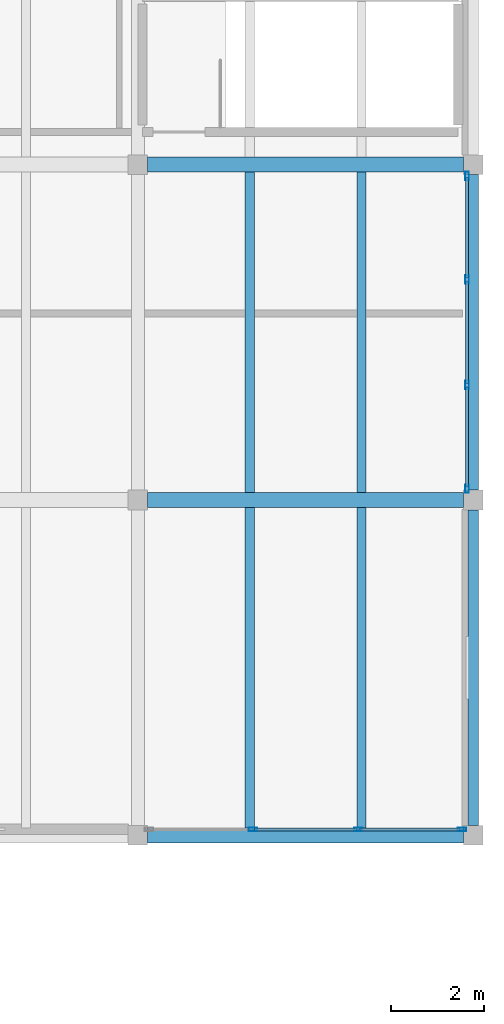
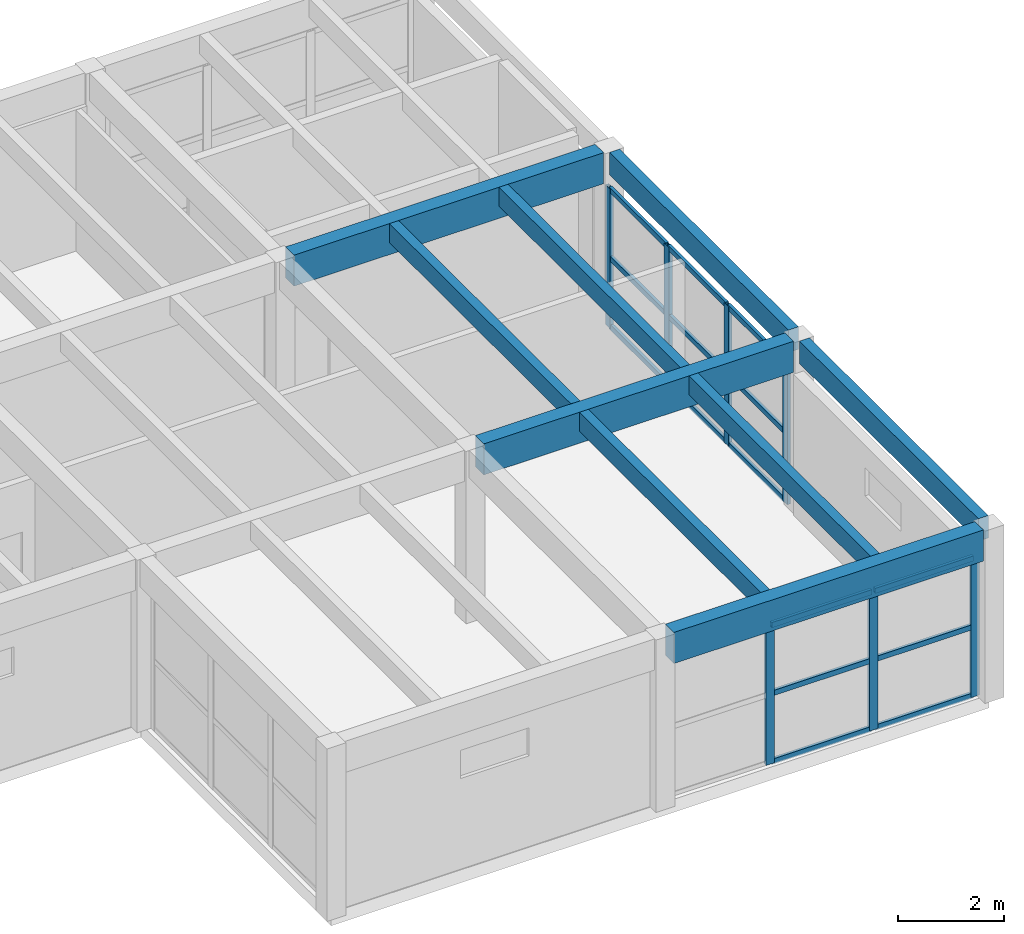
# One storey, part 47 of 68: 22 members, 9 beams, 2 elements without a shape of their own.
"""IFC4 building model written with IfcOpenShell, lengths in metres."""

from ifc_helpers import new_model, si_unit, direction, frame, origin, origin_2d, place, context, subcontext, project, spatial, rectangle, hollow_rectangle, extrude, material, material_profile, profile_set, type_object, element, aggregate, save


model = new_model("IFC4")

# Units and contexts
model_context = context("Model", 3, precision=1e-05, world=origin(), true_north=direction((0.0, 1.0)))
body_context = subcontext(model_context, "Body", "Model", "MODEL_VIEW")
ifc_project = project(units=[si_unit("LENGTHUNIT", "METRE"), si_unit("AREAUNIT", "SQUARE_METRE"), si_unit("VOLUMEUNIT", "CUBIC_METRE"), si_unit("PLANEANGLEUNIT", "RADIAN"), si_unit("MASSUNIT", "GRAM", prefix="KILO")], contexts=[model_context])

# Site, building, storey
site_placement = place(None, origin())
site = spatial("IfcSite", under=ifc_project, at=site_placement, CompositionType="ELEMENT")
building_placement = place(site_placement, origin())
building = spatial("IfcBuilding", under=site, at=building_placement, Name="Bramvelor Terrace Health Centre", CompositionType="ELEMENT")
storey_placement = place(building_placement, frame((0.0, 0.0, 9.300048828125)))
storey = spatial("IfcBuildingStorey", under=building, at=storey_placement, Name="L03", CompositionType="ELEMENT", Elevation=9.300048828125)

# Beams
ifc_material_1 = material(Name="Glulam GL28h", Category="wood")
ifc_material_profile_1 = material_profile(ifc_material_1, rectangle(XDim=0.320068359375, YDim=0.719970703125, at=origin_2d()), Name="GL 320x720")
ifc_profile_set_1 = profile_set([ifc_material_profile_1], Name="Glulam GL28h")
beam_type_1 = type_object("IfcBeamType", Name="BM-GL-G720", PredefinedType="BEAM", material=ifc_profile_set_1)
for number, where, z_axis, x_axis, name in (
    (1, (158.610107421875, 43.199951171875, 3.6298828125), (1.0, 0.0, 0.0), (0.0, 1.0, 0.0), "L03 Floor Girder"),
    (2, (158.610107421875, 50.39990234375, 3.6298828125), (1.0, 0.0, 0.0), (0.0, 1.0, 0.0), "L03 Floor Girder"),
    (3, (158.610107421875, 57.60009765625, 3.6298828125), (1.0, 0.0, 0.0), (0.0, 1.0, 0.0), "L03 Floor Girder"),
):
    element("IfcBeam", number, at=place(storey_placement, frame(where, z_axis=z_axis, x_axis=x_axis)), inside=storey, type_object=beam_type_1, Name=name, PredefinedType="BEAM", context=body_context, shape_type="SweptSolid", body=[
        extrude(rectangle(XDim=0.320068359375, YDim=0.719970703125, at=origin_2d()), origin(), (0.0, 0.0, 1.0), 6.77978515625),
    ])
ifc_material_2 = material(Name="Glulam GL28h", Category="wood")
ifc_material_profile_2 = material_profile(ifc_material_2, rectangle(XDim=0.199951171875, YDim=0.43994140625, at=origin_2d()), Name="GL 200x440")
ifc_profile_set_2 = profile_set([ifc_material_profile_2], Name="Glulam GL28h")
beam_type_2 = type_object("IfcBeamType", Name="BM-GL-J440", PredefinedType="JOIST", material=ifc_profile_set_2)
for number, where, z_axis, x_axis, name in (
    (4, (160.800048828125, 43.360107421875, 3.77001953125), (0.0, 1.0, 0.0), (-1.0, 0.0, 0.0), "L03 Secondary Floor Joist"),
    (5, (163.199951171875, 43.360107421875, 3.77001953125), (0.0, 1.0, 0.0), (-1.0, 0.0, 0.0), "L03 Secondary Floor Joist"),
    (6, (160.800048828125, 50.56005859375, 3.77001953125), (0.0, 1.0, 0.0), (-1.0, 0.0, 0.0), "L03 Secondary Floor Joist"),
    (7, (163.199951171875, 50.56005859375, 3.77001953125), (0.0, 1.0, 0.0), (-1.0, 0.0, 0.0), "L03 Secondary Floor Joist"),
):
    element("IfcBeam", number, at=place(storey_placement, frame(where, z_axis=z_axis, x_axis=x_axis)), inside=storey, type_object=beam_type_2, Name=name, PredefinedType="JOIST", context=body_context, shape_type="SweptSolid", body=[
        extrude(rectangle(XDim=0.199951171875, YDim=0.43994140625, at=origin_2d()), origin(), (0.0, 0.0, 1.0), 6.8798828125),
    ])
ifc_material_3 = material(Name="Glulam GL28h", Category="wood")
ifc_material_profile_3 = material_profile(ifc_material_3, rectangle(XDim=0.219970703125, YDim=0.52001953125, at=origin_2d()), Name="GL 220x520")
ifc_profile_set_3 = profile_set([ifc_material_profile_3], Name="Glulam GL28h")
beam_type_3 = type_object("IfcBeamType", Name="BM-GL-SP520-EXT", PredefinedType="SPANDREL", material=ifc_profile_set_3)
beam_1_placement = place(storey_placement, frame((165.60009765625, 43.409912109375, 3.72998046875), z_axis=(0.0, 1.0, 0.0), x_axis=(-1.0, 0.0, 0.0)))
element("IfcBeam", 8, at=beam_1_placement, inside=storey, type_object=beam_type_3, Name="L03 Floor Girder", PredefinedType="SPANDREL", context=body_context, shape_type="SweptSolid", body=[
    extrude(rectangle(XDim=0.219970703125, YDim=0.52001953125, at=origin_2d()), origin(), (0.0, 0.0, 1.0), 6.780029296875),
])
beam_2_placement = place(storey_placement, frame((165.60009765625, 50.610107421875, 3.72998046875), z_axis=(0.0, 1.0, 0.0), x_axis=(-1.0, 0.0, 0.0)))
element("IfcBeam", 9, at=beam_2_placement, inside=storey, type_object=beam_type_3, Name="L03 Floor Girder", PredefinedType="SPANDREL", context=body_context, shape_type="SweptSolid", body=[
    extrude(rectangle(XDim=0.219970703125, YDim=0.52001953125, at=origin_2d()), origin(), (0.0, 0.0, 1.0), 6.77978515625),
])

# Curtain wall, members
ifc_material_4 = material(Name="Anodized aluminium and double low-E glass", Category="aluminium")
curtain_wall_type = type_object("IfcCurtainWallType", Name="CW-SYS-27", PredefinedType="NOTDEFINED", material=ifc_material_4)
curtain_wall_1_placement = place(storey_placement, origin())
curtain_wall_1 = element("IfcCurtainWall", 10, at=curtain_wall_1_placement, inside=storey, type_object=curtain_wall_type, Name="L03 Unitized Curtain Wall 167", PredefinedType="NOTDEFINED")
ifc_material_5 = material(Name="Anodized aluminium 6063-T6", Category="aluminium")
ifc_material_profile_4 = material_profile(ifc_material_5, hollow_rectangle(XDim=0.074951171875, YDim=0.179931640625, WallThickness=0.00341796875, at=origin_2d()), Name="ALU-MUL 75x180x3.5")
ifc_profile_set_4 = profile_set([ifc_material_profile_4], Name="Anodized aluminium 6063-T6")
member_type_1 = type_object("IfcMemberType", Name="CW-MUL-65x180", PredefinedType="MULLION", material=ifc_profile_set_4)
member_1_placement = place(storey_placement, frame((165.469970703125, 57.357421875, 0.0), z_axis=(0.0, 0.0, 1.0), x_axis=(1.0, 0.0, 0.0)))
member_1 = element("IfcMember", 11, at=member_1_placement, type_object=member_type_1, Name="CW-27 mullion 1", PredefinedType="MULLION", context=body_context, shape_type="SweptSolid", body=[
    extrude(hollow_rectangle(XDim=0.074951171875, YDim=0.179931640625, WallThickness=0.00341796875, at=origin_2d()), origin(), (0.0, 0.0, 1.0), 3.22998046875),
])
member_2_placement = place(storey_placement, frame((165.469970703125, 55.131591796875, 0.0), z_axis=(0.0, 0.0, 1.0), x_axis=(1.0, 0.0, 0.0)))
member_2 = element("IfcMember", 12, at=member_2_placement, type_object=member_type_1, Name="CW-27 mullion 2", PredefinedType="MULLION", context=body_context, shape_type="SweptSolid", body=[
    extrude(hollow_rectangle(XDim=0.074951171875, YDim=0.179931640625, WallThickness=0.00341796875, at=origin_2d()), origin(), (0.0, 0.0, 1.0), 3.22998046875),
])
member_3_placement = place(storey_placement, frame((165.469970703125, 52.868408203125, 0.0), z_axis=(0.0, 0.0, 1.0), x_axis=(1.0, 0.0, 0.0)))
member_3 = element("IfcMember", 13, at=member_3_placement, type_object=member_type_1, Name="CW-27 mullion 3", PredefinedType="MULLION", context=body_context, shape_type="SweptSolid", body=[
    extrude(hollow_rectangle(XDim=0.074951171875, YDim=0.179931640625, WallThickness=0.00341796875, at=origin_2d()), origin(), (0.0, 0.0, 1.0), 3.22998046875),
])
member_4_placement = place(storey_placement, frame((165.469970703125, 50.642578125, 0.0), z_axis=(0.0, 0.0, 1.0), x_axis=(1.0, 0.0, 0.0)))
member_4 = element("IfcMember", 14, at=member_4_placement, type_object=member_type_1, Name="CW-27 mullion 4", PredefinedType="MULLION", context=body_context, shape_type="SweptSolid", body=[
    extrude(hollow_rectangle(XDim=0.074951171875, YDim=0.179931640625, WallThickness=0.00341796875, at=origin_2d()), origin(), (0.0, 0.0, 1.0), 3.22998046875),
])

curtain_wall_2_placement = place(storey_placement, origin())
curtain_wall_2 = element("IfcCurtainWall", 15, at=curtain_wall_2_placement, inside=storey, type_object=curtain_wall_type, Name="L03 Unitized Curtain Wall 168", PredefinedType="NOTDEFINED")
member_5_placement = place(storey_placement, frame((165.357421875, 43.330078125, 0.0), z_axis=(0.0, 0.0, 1.0), x_axis=(0.0, -1.0, 0.0)))
member_5 = element("IfcMember", 16, at=member_5_placement, type_object=member_type_1, Name="CW-27 mullion 1", PredefinedType="MULLION", context=body_context, shape_type="SweptSolid", body=[
    extrude(hollow_rectangle(XDim=0.074951171875, YDim=0.179931640625, WallThickness=0.00341796875, at=origin_2d()), origin(), (0.0, 0.0, 1.0), 3.22998046875),
])
member_6_placement = place(storey_placement, frame((163.131591796875, 43.330078125, 0.0), z_axis=(0.0, 0.0, 1.0), x_axis=(0.0, -1.0, 0.0)))
member_6 = element("IfcMember", 17, at=member_6_placement, type_object=member_type_1, Name="CW-27 mullion 2", PredefinedType="MULLION", context=body_context, shape_type="SweptSolid", body=[
    extrude(hollow_rectangle(XDim=0.074951171875, YDim=0.179931640625, WallThickness=0.00341796875, at=origin_2d()), origin(), (0.0, 0.0, 1.0), 3.22998046875),
])
member_7_placement = place(storey_placement, frame((160.868408203125, 43.330078125, 0.0), z_axis=(0.0, 0.0, 1.0), x_axis=(0.0, -1.0, 0.0)))
member_7 = element("IfcMember", 18, at=member_7_placement, type_object=member_type_1, Name="CW-27 mullion 3", PredefinedType="MULLION", context=body_context, shape_type="SweptSolid", body=[
    extrude(hollow_rectangle(XDim=0.074951171875, YDim=0.179931640625, WallThickness=0.00341796875, at=origin_2d()), origin(), (0.0, 0.0, 1.0), 3.22998046875),
])

# Member
ifc_material_6 = material(Name="Anodized aluminium 6063-T6", Category="aluminium")
ifc_material_profile_5 = material_profile(ifc_material_6, hollow_rectangle(XDim=0.06494140625, YDim=0.1201171875, WallThickness=0.0029296875, at=origin_2d()), Name="ALU-TRN 65x120x3.0")
ifc_profile_set_5 = profile_set([ifc_material_profile_5], Name="Anodized aluminium 6063-T6")
member_type_2 = type_object("IfcMemberType", Name="CW-TRN-65x150", PredefinedType="USERDEFINED", material=ifc_profile_set_5)
member_8_placement = place(storey_placement, frame((165.469970703125, 57.320068359375, 0.032470703125), z_axis=(0.0, -1.0, 0.0), x_axis=(1.0, 0.0, 0.0)))
member_8 = element("IfcMember", 19, at=member_8_placement, type_object=member_type_2, Name="CW-27 transom 1.1", ObjectType="TRANSOM", PredefinedType="USERDEFINED", context=body_context, shape_type="SweptSolid", body=[
    extrude(hollow_rectangle(XDim=0.06494140625, YDim=0.1201171875, WallThickness=0.0029296875, at=origin_2d()), origin(), (0.0, 0.0, 1.0), 2.15087890625),
])

member_9_placement = place(storey_placement, frame((165.469970703125, 57.320068359375, 1.614990234375), z_axis=(0.0, -1.0, 0.0), x_axis=(1.0, 0.0, 0.0)))
member_9 = element("IfcMember", 20, at=member_9_placement, type_object=member_type_2, Name="CW-27 transom 1.2", ObjectType="TRANSOM", PredefinedType="USERDEFINED", context=body_context, shape_type="SweptSolid", body=[
    extrude(hollow_rectangle(XDim=0.06494140625, YDim=0.1201171875, WallThickness=0.0029296875, at=origin_2d()), origin(), (0.0, 0.0, 1.0), 2.15087890625),
])

member_10_placement = place(storey_placement, frame((165.469970703125, 57.320068359375, 3.197509765625), z_axis=(0.0, -1.0, 0.0), x_axis=(1.0, 0.0, 0.0)))
member_10 = element("IfcMember", 21, at=member_10_placement, type_object=member_type_2, Name="CW-27 transom 1.3", ObjectType="TRANSOM", PredefinedType="USERDEFINED", context=body_context, shape_type="SweptSolid", body=[
    extrude(hollow_rectangle(XDim=0.06494140625, YDim=0.1201171875, WallThickness=0.0029296875, at=origin_2d()), origin(), (0.0, 0.0, 1.0), 2.15087890625),
])

member_11_placement = place(storey_placement, frame((165.469970703125, 55.09423828125, 0.032470703125), z_axis=(0.0, -1.0, 0.0), x_axis=(1.0, 0.0, 0.0)))
member_11 = element("IfcMember", 22, at=member_11_placement, type_object=member_type_2, Name="CW-27 transom 2.1", ObjectType="TRANSOM", PredefinedType="USERDEFINED", context=body_context, shape_type="SweptSolid", body=[
    extrude(hollow_rectangle(XDim=0.06494140625, YDim=0.1201171875, WallThickness=0.0029296875, at=origin_2d()), origin(), (0.0, 0.0, 1.0), 2.1884765625),
])

member_12_placement = place(storey_placement, frame((165.469970703125, 55.09423828125, 1.614990234375), z_axis=(0.0, -1.0, 0.0), x_axis=(1.0, 0.0, 0.0)))
member_12 = element("IfcMember", 23, at=member_12_placement, type_object=member_type_2, Name="CW-27 transom 2.2", ObjectType="TRANSOM", PredefinedType="USERDEFINED", context=body_context, shape_type="SweptSolid", body=[
    extrude(hollow_rectangle(XDim=0.06494140625, YDim=0.1201171875, WallThickness=0.0029296875, at=origin_2d()), origin(), (0.0, 0.0, 1.0), 2.1884765625),
])

member_13_placement = place(storey_placement, frame((165.469970703125, 55.09423828125, 3.197509765625), z_axis=(0.0, -1.0, 0.0), x_axis=(1.0, 0.0, 0.0)))
member_13 = element("IfcMember", 24, at=member_13_placement, type_object=member_type_2, Name="CW-27 transom 2.3", ObjectType="TRANSOM", PredefinedType="USERDEFINED", context=body_context, shape_type="SweptSolid", body=[
    extrude(hollow_rectangle(XDim=0.06494140625, YDim=0.1201171875, WallThickness=0.0029296875, at=origin_2d()), origin(), (0.0, 0.0, 1.0), 2.1884765625),
])

member_14_placement = place(storey_placement, frame((165.469970703125, 52.830810546875, 0.032470703125), z_axis=(0.0, -1.0, 0.0), x_axis=(1.0, 0.0, 0.0)))
member_14 = element("IfcMember", 25, at=member_14_placement, type_object=member_type_2, Name="CW-27 transom 3.1", ObjectType="TRANSOM", PredefinedType="USERDEFINED", context=body_context, shape_type="SweptSolid", body=[
    extrude(hollow_rectangle(XDim=0.06494140625, YDim=0.1201171875, WallThickness=0.0029296875, at=origin_2d()), origin(), (0.0, 0.0, 1.0), 2.15087890625),
])

member_15_placement = place(storey_placement, frame((165.469970703125, 52.830810546875, 1.614990234375), z_axis=(0.0, -1.0, 0.0), x_axis=(1.0, 0.0, 0.0)))
member_15 = element("IfcMember", 26, at=member_15_placement, type_object=member_type_2, Name="CW-27 transom 3.2", ObjectType="TRANSOM", PredefinedType="USERDEFINED", context=body_context, shape_type="SweptSolid", body=[
    extrude(hollow_rectangle(XDim=0.06494140625, YDim=0.1201171875, WallThickness=0.0029296875, at=origin_2d()), origin(), (0.0, 0.0, 1.0), 2.15087890625),
])

member_16_placement = place(storey_placement, frame((165.469970703125, 52.830810546875, 3.197509765625), z_axis=(0.0, -1.0, 0.0), x_axis=(1.0, 0.0, 0.0)))
member_16 = element("IfcMember", 27, at=member_16_placement, type_object=member_type_2, Name="CW-27 transom 3.3", ObjectType="TRANSOM", PredefinedType="USERDEFINED", context=body_context, shape_type="SweptSolid", body=[
    extrude(hollow_rectangle(XDim=0.06494140625, YDim=0.1201171875, WallThickness=0.0029296875, at=origin_2d()), origin(), (0.0, 0.0, 1.0), 2.15087890625),
])

aggregate(curtain_wall_1, [member_1, member_2, member_3, member_4, member_8, member_9, member_10, member_11, member_12, member_13, member_14, member_15, member_16])

member_17_placement = place(storey_placement, frame((165.320068359375, 43.330078125, 0.032470703125), z_axis=(-1.0, 0.0, 0.0), x_axis=(0.0, -1.0, 0.0)))
member_17 = element("IfcMember", 28, at=member_17_placement, type_object=member_type_2, Name="CW-27 transom 1.1", ObjectType="TRANSOM", PredefinedType="USERDEFINED", context=body_context, shape_type="SweptSolid", body=[
    extrude(hollow_rectangle(XDim=0.06494140625, YDim=0.1201171875, WallThickness=0.0029296875, at=origin_2d()), origin(), (0.0, 0.0, 1.0), 2.15087890625),
])

member_18_placement = place(storey_placement, frame((165.320068359375, 43.330078125, 1.614990234375), z_axis=(-1.0, 0.0, 0.0), x_axis=(0.0, -1.0, 0.0)))
member_18 = element("IfcMember", 29, at=member_18_placement, type_object=member_type_2, Name="CW-27 transom 1.2", ObjectType="TRANSOM", PredefinedType="USERDEFINED", context=body_context, shape_type="SweptSolid", body=[
    extrude(hollow_rectangle(XDim=0.06494140625, YDim=0.1201171875, WallThickness=0.0029296875, at=origin_2d()), origin(), (0.0, 0.0, 1.0), 2.15087890625),
])

member_19_placement = place(storey_placement, frame((165.320068359375, 43.330078125, 3.197509765625), z_axis=(-1.0, 0.0, 0.0), x_axis=(0.0, -1.0, 0.0)))
member_19 = element("IfcMember", 30, at=member_19_placement, type_object=member_type_2, Name="CW-27 transom 1.3", ObjectType="TRANSOM", PredefinedType="USERDEFINED", context=body_context, shape_type="SweptSolid", body=[
    extrude(hollow_rectangle(XDim=0.06494140625, YDim=0.1201171875, WallThickness=0.0029296875, at=origin_2d()), origin(), (0.0, 0.0, 1.0), 2.15087890625),
])

member_20_placement = place(storey_placement, frame((163.09423828125, 43.330078125, 0.032470703125), z_axis=(-1.0, 0.0, 0.0), x_axis=(0.0, -1.0, 0.0)))
member_20 = element("IfcMember", 31, at=member_20_placement, type_object=member_type_2, Name="CW-27 transom 2.1", ObjectType="TRANSOM", PredefinedType="USERDEFINED", context=body_context, shape_type="SweptSolid", body=[
    extrude(hollow_rectangle(XDim=0.06494140625, YDim=0.1201171875, WallThickness=0.0029296875, at=origin_2d()), origin(), (0.0, 0.0, 1.0), 2.1884765625),
])

member_21_placement = place(storey_placement, frame((163.09423828125, 43.330078125, 1.614990234375), z_axis=(-1.0, 0.0, 0.0), x_axis=(0.0, -1.0, 0.0)))
member_21 = element("IfcMember", 32, at=member_21_placement, type_object=member_type_2, Name="CW-27 transom 2.2", ObjectType="TRANSOM", PredefinedType="USERDEFINED", context=body_context, shape_type="SweptSolid", body=[
    extrude(hollow_rectangle(XDim=0.06494140625, YDim=0.1201171875, WallThickness=0.0029296875, at=origin_2d()), origin(), (0.0, 0.0, 1.0), 2.1884765625),
])

member_22_placement = place(storey_placement, frame((163.09423828125, 43.330078125, 3.197509765625), z_axis=(-1.0, 0.0, 0.0), x_axis=(0.0, -1.0, 0.0)))
member_22 = element("IfcMember", 33, at=member_22_placement, type_object=member_type_2, Name="CW-27 transom 2.3", ObjectType="TRANSOM", PredefinedType="USERDEFINED", context=body_context, shape_type="SweptSolid", body=[
    extrude(hollow_rectangle(XDim=0.06494140625, YDim=0.1201171875, WallThickness=0.0029296875, at=origin_2d()), origin(), (0.0, 0.0, 1.0), 2.1884765625),
])

aggregate(curtain_wall_2, [member_5, member_6, member_7, member_17, member_18, member_19, member_20, member_21, member_22])

save(model, "model.ifc")
